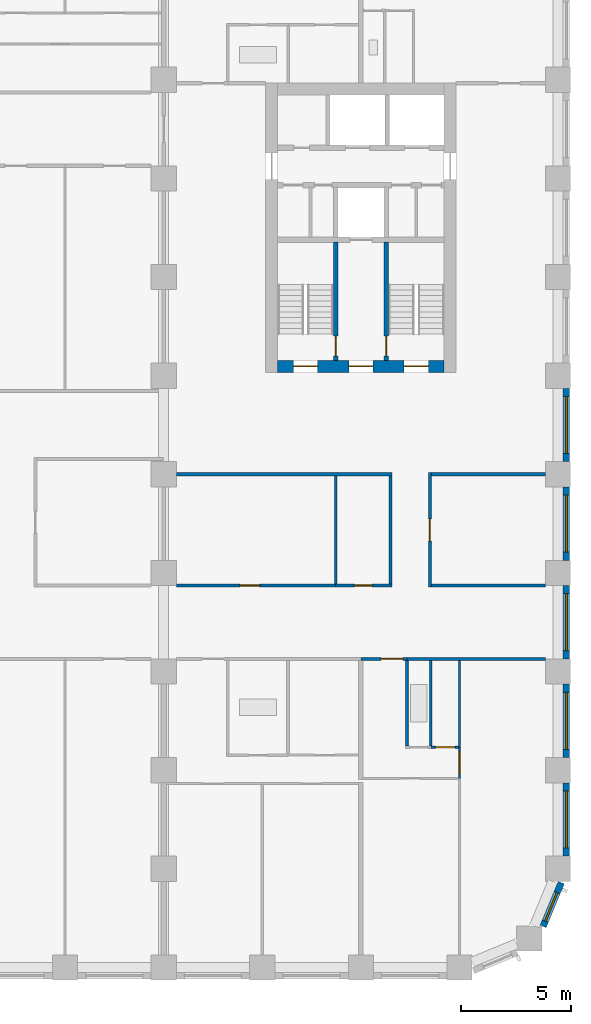
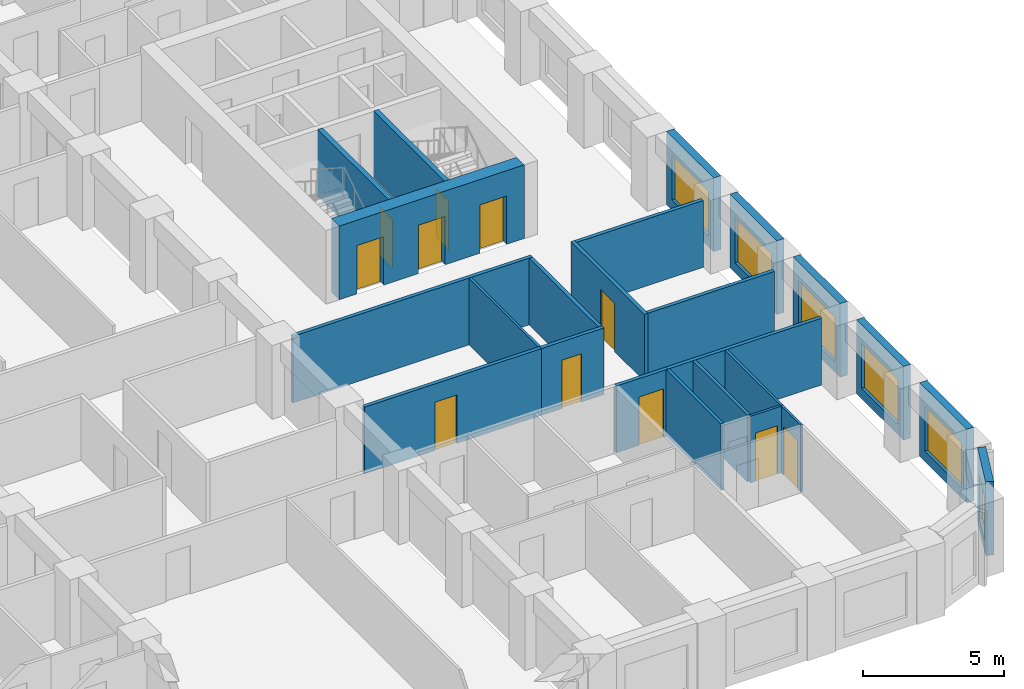
# One storey, part 5 of 13: 24 walls, 11 doors, 6 windows, 17 openings.
"""IFC4 building model written with IfcOpenShell, lengths in metres."""

from ifc_helpers import new_model, si_unit, direction, frame, frame_2d, origin, place, context, subcontext, project, spatial, rectangle, extrude, material, layer, layer_set, type_object, element, fill, save


model = new_model("IFC4")

# Units and contexts
model_context = context("Model", 3, precision=1e-05, world=origin(), true_north=direction((0.0, 1.0)))
body_context = subcontext(model_context, "Body", "Model", "MODEL_VIEW")
ifc_project = project(units=[si_unit("LENGTHUNIT", "METRE"), si_unit("AREAUNIT", "SQUARE_METRE"), si_unit("VOLUMEUNIT", "CUBIC_METRE"), si_unit("PLANEANGLEUNIT", "RADIAN"), si_unit("MASSUNIT", "GRAM", prefix="KILO")], contexts=[model_context])

# Site, building, storey
site_placement = place(None, origin())
site = spatial("IfcSite", under=ifc_project, at=site_placement, CompositionType="ELEMENT")
building_placement = place(site_placement, origin())
building = spatial("IfcBuilding", under=site, at=building_placement, Name="Girih Gate Residences", CompositionType="ELEMENT")
storey_placement = place(building_placement, frame((0.0, 0.0, 92.800048828125)))
storey = spatial("IfcBuildingStorey", under=building, at=storey_placement, Name="L25", CompositionType="ELEMENT", Elevation=92.800048828125)

# Wall
ifc_material_1 = material(Name="Gypsum board on steel studs", Category="steel")
ifc_layer_1 = layer(ifc_material_1, 0.14990234375)
ifc_layer_set_1 = layer_set([ifc_layer_1], Name="Compartment wall 150 mm")
wall_type_1 = type_object("IfcWallType", Name="Compartment wall 150 mm", PredefinedType="PARTITIONING", material=ifc_layer_set_1)
wall_1_placement = place(storey_placement, frame((42.60009765625, 14.074951171875, 0.0), z_axis=(0.0, 0.0, 1.0), x_axis=(1.0, 0.0, 0.0)))
element("IfcWall", 1, at=wall_1_placement, inside=storey, type_object=wall_type_1, Name="L25 partition", PredefinedType="PARTITIONING", context=body_context, shape_type="SweptSolid", body=[
    extrude(rectangle(XDim=6.324951171875, YDim=0.14990234375, at=frame_2d((3.16259765625, 0.0))), origin(), (0.0, 0.0, 1.0), 2.89990234375),
])

# Wall, opening, door
wall_2_placement = place(storey_placement, frame((42.60009765625, 14.074951171875, 0.0), z_axis=(0.0, 0.0, 1.0), x_axis=(-1.0, 0.0, 0.0)))
wall_2 = element("IfcWall", 2, at=wall_2_placement, inside=storey, type_object=wall_type_1, Name="L25 partition", PredefinedType="PARTITIONING", context=body_context, shape_type="SweptSolid", body=[
    extrude(rectangle(XDim=2.10009765625, YDim=0.14990234375, at=frame_2d((1.050048828125, 0.0))), origin(), (0.0, 0.0, 1.0), 2.89990234375),
])
opening_1_placement = place(wall_2_placement, frame((0.175048828125, 0.0, 0.0)))
opening_1 = element("IfcOpeningElement", 3, at=opening_1_placement, cuts=wall_2, Name="Opening A25-019", PredefinedType="OPENING", context=body_context, shape_type="SweptSolid", body=[
    extrude(rectangle(XDim=1.0, YDim=2.10009765625, at=frame_2d((0.5, 1.050048828125))), frame((0.0, 0.0849609375, 0.0), z_axis=(0.0, -1.0, 0.0), x_axis=(1.0, 0.0, 0.0)), (0.0, 0.0, 1.0), 0.169921875),
])
ifc_material_2 = material(Name="Timber, fire-rated core", Category="wood")
door_type_1 = type_object("IfcDoorType", Name="Flat entrance door 1000x2100 FD30S", OperationType="NOTDEFINED", PredefinedType="DOOR", material=ifc_material_2)
door_1_placement = place(opening_1_placement, origin())
door_1 = element("IfcDoor", 4, at=door_1_placement, inside=storey, type_object=door_type_1, Name="Door A25-019", OperationType="SINGLE_SWING_LEFT", OverallHeight=2.10009765625, OverallWidth=1.0, PredefinedType="DOOR", context=body_context, shape_type="SweptSolid", body=[
    extrude(rectangle(XDim=1.0, YDim=2.10009765625, at=frame_2d((0.5, 1.050048828125))), frame((0.0, 0.02490234375, 0.0), z_axis=(0.0, -1.0, 0.0), x_axis=(1.0, 0.0, 0.0)), (0.0, 0.0, 1.0), 0.050048828125),
])
fill(opening_1, door_1)

wall_3_placement = place(storey_placement, frame((32.074951171875, 17.425048828125, 0.0), z_axis=(0.0, 0.0, 1.0), x_axis=(1.0, 0.0, 0.0)))
wall_3 = element("IfcWall", 5, at=wall_3_placement, inside=storey, type_object=wall_type_1, Name="L25 partition", PredefinedType="PARTITIONING", context=body_context, shape_type="SweptSolid", body=[
    extrude(rectangle(XDim=7.275146484375, YDim=0.14990234375, at=frame_2d((3.6376953125, 0.0))), origin(), (0.0, 0.0, 1.0), 2.89990234375),
])
opening_2_placement = place(wall_3_placement, frame((2.89990234375, 0.0, 0.0)))
opening_2 = element("IfcOpeningElement", 6, at=opening_2_placement, cuts=wall_3, Name="Opening A25-050", PredefinedType="OPENING", context=body_context, shape_type="SweptSolid", body=[
    extrude(rectangle(XDim=0.89990234375, YDim=2.10009765625, at=frame_2d((0.449951171875, 1.050048828125))), frame((0.0, 0.0849609375, 0.0), z_axis=(0.0, -1.0, 0.0), x_axis=(1.0, 0.0, 0.0)), (0.0, 0.0, 1.0), 0.169921875),
])
ifc_material_3 = material(Name="Timber", Category="wood")
door_type_2 = type_object("IfcDoorType", Name="Service room door 900x2100", OperationType="NOTDEFINED", PredefinedType="DOOR", material=ifc_material_3)
door_2_placement = place(opening_2_placement, origin())
door_2 = element("IfcDoor", 7, at=door_2_placement, inside=storey, type_object=door_type_2, Name="Door A25-050", OperationType="SINGLE_SWING_LEFT", OverallHeight=2.10009765625, OverallWidth=0.89990234375, PredefinedType="DOOR", context=body_context, shape_type="SweptSolid", body=[
    extrude(rectangle(XDim=0.89990234375, YDim=2.10009765625, at=frame_2d((0.449951171875, 1.050048828125))), frame((0.0, 0.02490234375, 0.0), z_axis=(0.0, -1.0, 0.0), x_axis=(1.0, 0.0, 0.0)), (0.0, 0.0, 1.0), 0.050048828125),
])
fill(opening_2, door_2)

wall_4_placement = place(storey_placement, frame((39.35009765625, 17.425048828125, 0.0), z_axis=(0.0, 0.0, 1.0), x_axis=(1.0, 0.0, 0.0)))
wall_4 = element("IfcWall", 8, at=wall_4_placement, inside=storey, type_object=wall_type_1, Name="L25 partition", PredefinedType="PARTITIONING", context=body_context, shape_type="SweptSolid", body=[
    extrude(rectangle(XDim=2.574951171875, YDim=0.14990234375, at=frame_2d((1.28759765625, 0.0))), origin(), (0.0, 0.0, 1.0), 2.89990234375),
])
opening_3_placement = place(wall_4_placement, frame((0.85009765625, 0.0, 0.0)))
opening_3 = element("IfcOpeningElement", 9, at=opening_3_placement, cuts=wall_4, Name="Opening A25-052", PredefinedType="OPENING", context=body_context, shape_type="SweptSolid", body=[
    extrude(rectangle(XDim=0.800048828125, YDim=2.10009765625, at=frame_2d((0.39990234375, 1.050048828125))), frame((0.0, 0.0849609375, 0.0), z_axis=(0.0, -1.0, 0.0), x_axis=(1.0, 0.0, 0.0)), (0.0, 0.0, 1.0), 0.169921875),
])
door_type_3 = type_object("IfcDoorType", Name="Bathroom door 800x2100", OperationType="NOTDEFINED", PredefinedType="DOOR", material=ifc_material_3)
door_3_placement = place(opening_3_placement, origin())
door_3 = element("IfcDoor", 10, at=door_3_placement, inside=storey, type_object=door_type_3, Name="Door A25-052", OperationType="SINGLE_SWING_LEFT", OverallHeight=2.10009765625, OverallWidth=0.800048828125, PredefinedType="DOOR", context=body_context, shape_type="SweptSolid", body=[
    extrude(rectangle(XDim=0.800048828125, YDim=2.10009765625, at=frame_2d((0.39990234375, 1.050048828125))), frame((0.0, 0.02490234375, 0.0), z_axis=(0.0, -1.0, 0.0), x_axis=(1.0, 0.0, 0.0)), (0.0, 0.0, 1.0), 0.050048828125),
])
fill(opening_3, door_3)

# Walls
wall_5_placement = place(storey_placement, frame((43.72509765625, 17.425048828125, 0.0), z_axis=(0.0, 0.0, 1.0), x_axis=(1.0, 0.0, 0.0)))
element("IfcWall", 11, at=wall_5_placement, inside=storey, type_object=wall_type_1, Name="L25 partition", PredefinedType="PARTITIONING", context=body_context, shape_type="SweptSolid", body=[
    extrude(rectangle(XDim=5.199951171875, YDim=0.14990234375, at=frame_2d((2.60009765625, 0.0))), origin(), (0.0, 0.0, 1.0), 2.89990234375),
])
wall_6_placement = place(storey_placement, frame((32.074951171875, 22.5, 0.0), z_axis=(0.0, 0.0, 1.0), x_axis=(1.0, 0.0, 0.0)))
element("IfcWall", 12, at=wall_6_placement, inside=storey, type_object=wall_type_1, Name="L25 partition", PredefinedType="PARTITIONING", context=body_context, shape_type="SweptSolid", body=[
    extrude(rectangle(XDim=9.85009765625, YDim=0.14990234375, at=frame_2d((4.925048828125, 0.0))), origin(), (0.0, 0.0, 1.0), 2.89990234375),
])
wall_7_placement = place(storey_placement, frame((43.72509765625, 22.5, 0.0), z_axis=(0.0, 0.0, 1.0), x_axis=(1.0, 0.0, 0.0)))
element("IfcWall", 13, at=wall_7_placement, inside=storey, type_object=wall_type_1, Name="L25 partition", PredefinedType="PARTITIONING", context=body_context, shape_type="SweptSolid", body=[
    extrude(rectangle(XDim=5.199951171875, YDim=0.14990234375, at=frame_2d((2.60009765625, 0.0))), origin(), (0.0, 0.0, 1.0), 2.89990234375),
])
wall_8_placement = place(storey_placement, frame((41.85009765625, 17.5, 0.0), z_axis=(0.0, 0.0, 1.0), x_axis=(0.0, 1.0, 0.0)))
element("IfcWall", 14, at=wall_8_placement, inside=storey, type_object=wall_type_1, Name="L25 partition", PredefinedType="PARTITIONING", context=body_context, shape_type="SweptSolid", body=[
    extrude(rectangle(XDim=4.925048828125, YDim=0.14990234375, at=frame_2d((2.46240234375, 0.0))), origin(), (0.0, 0.0, 1.0), 2.89990234375),
])

# Wall, opening, door
wall_9_placement = place(storey_placement, frame((43.64990234375, 22.574951171875, 0.0), z_axis=(0.0, 0.0, 1.0), x_axis=(0.0, -1.0, 0.0)))
wall_9 = element("IfcWall", 15, at=wall_9_placement, inside=storey, type_object=wall_type_1, Name="L25 partition", PredefinedType="PARTITIONING", context=body_context, shape_type="SweptSolid", body=[
    extrude(rectangle(XDim=5.224853515625, YDim=0.14990234375, at=frame_2d((2.6123046875, 0.0))), origin(), (0.0, 0.0, 1.0), 2.89990234375),
])
opening_4_placement = place(wall_9_placement, frame((2.112548828125, 0.0, 0.0)))
opening_4 = element("IfcOpeningElement", 16, at=opening_4_placement, cuts=wall_9, Name="Opening A25-054", PredefinedType="OPENING", context=body_context, shape_type="SweptSolid", body=[
    extrude(rectangle(XDim=1.0, YDim=2.10009765625, at=frame_2d((0.5, 1.050048828125))), frame((0.0, 0.0849609375, 0.0), z_axis=(0.0, -1.0, 0.0), x_axis=(1.0, 0.0, 0.0)), (0.0, 0.0, 1.0), 0.169921875),
])
door_type_4 = type_object("IfcDoorType", Name="Amenity room door 1000x2100 FD30S", OperationType="NOTDEFINED", PredefinedType="DOOR", material=ifc_material_2)
door_4_placement = place(opening_4_placement, origin())
door_4 = element("IfcDoor", 17, at=door_4_placement, inside=storey, type_object=door_type_4, Name="Door A25-054", OperationType="SINGLE_SWING_RIGHT", OverallHeight=2.10009765625, OverallWidth=1.0, PredefinedType="DOOR", context=body_context, shape_type="SweptSolid", body=[
    extrude(rectangle(XDim=1.0, YDim=2.10009765625, at=frame_2d((0.5, 1.050048828125))), frame((0.0, 0.02490234375, 0.0), z_axis=(0.0, -1.0, 0.0), x_axis=(1.0, 0.0, 0.0)), (0.0, 0.0, 1.0), 0.050048828125),
])
fill(opening_4, door_4)

# Wall, openings, doors
ifc_material_4 = material(Name="Concrete C60/75", Category="concrete")
ifc_layer_2 = layer(ifc_material_4, 0.550048828125)
ifc_layer_set_2 = layer_set([ifc_layer_2], Name="Core wall RC 550 Concrete C60/75")
wall_type_2 = type_object("IfcWallType", Name="Core wall RC 550 Concrete C60/75", PredefinedType="SOLIDWALL", material=ifc_layer_set_2)
wall_10_placement = place(storey_placement, frame((36.699951171875, 27.425048828125, 0.0), z_axis=(0.0, 0.0, 1.0), x_axis=(1.0, 0.0, 0.0)))
wall_10 = element("IfcWall", 18, at=wall_10_placement, inside=storey, type_object=wall_type_2, Name="Core wall E-S L25", PredefinedType="SOLIDWALL", context=body_context, shape_type="SweptSolid", body=[
    extrude(rectangle(XDim=7.60009765625, YDim=0.550048828125, at=frame_2d((3.800048828125, 0.0))), origin(), (0.0, 0.0, 1.0), 3.199951171875),
])
opening_5_placement = place(wall_10_placement, frame((5.77490234375, 0.0, 0.0)))
opening_5 = element("IfcOpeningElement", 19, at=opening_5_placement, cuts=wall_10, Name="Opening D-L25-E-011", PredefinedType="OPENING", context=body_context, shape_type="SweptSolid", body=[
    extrude(rectangle(XDim=1.10009765625, YDim=2.10009765625, at=frame_2d((0.550048828125, 1.050048828125))), frame((0.0, 0.284912109375, 0.0), z_axis=(0.0, -1.0, 0.0), x_axis=(1.0, 0.0, 0.0)), (0.0, 0.0, 1.0), 0.570068359375),
])
opening_6_placement = place(wall_10_placement, frame((3.25, 0.0, 0.0)))
opening_6 = element("IfcOpeningElement", 20, at=opening_6_placement, cuts=wall_10, Name="Opening D-L25-E-012", PredefinedType="OPENING", context=body_context, shape_type="SweptSolid", body=[
    extrude(rectangle(XDim=1.10009765625, YDim=2.10009765625, at=frame_2d((0.550048828125, 1.050048828125))), frame((0.0, 0.284912109375, 0.0), z_axis=(0.0, -1.0, 0.0), x_axis=(1.0, 0.0, 0.0)), (0.0, 0.0, 1.0), 0.570068359375),
])
opening_7_placement = place(wall_10_placement, frame((0.72509765625, 0.0, 0.0)))
opening_7 = element("IfcOpeningElement", 21, at=opening_7_placement, cuts=wall_10, Name="Opening D-L25-E-013", PredefinedType="OPENING", context=body_context, shape_type="SweptSolid", body=[
    extrude(rectangle(XDim=1.10009765625, YDim=2.10009765625, at=frame_2d((0.550048828125, 1.050048828125))), frame((0.0, 0.284912109375, 0.0), z_axis=(0.0, -1.0, 0.0), x_axis=(1.0, 0.0, 0.0)), (0.0, 0.0, 1.0), 0.570068359375),
])
ifc_material_5 = material(Name="Painted steel, fire-resisting", Category="steel")
door_type_5 = type_object("IfcDoorType", Name="Fire door 1100x2100", OperationType="SINGLE_SWING_LEFT", PredefinedType="DOOR", material=ifc_material_5)
door_5_placement = place(opening_5_placement, origin())
door_5 = element("IfcDoor", 22, at=door_5_placement, inside=storey, type_object=door_type_5, Name="L25 E core door sta-out", OperationType="SINGLE_SWING_LEFT", OverallHeight=2.10009765625, OverallWidth=1.10009765625, PredefinedType="DOOR", context=body_context, shape_type="SweptSolid", body=[
    extrude(rectangle(XDim=1.10009765625, YDim=2.10009765625, at=frame_2d((0.550048828125, 1.050048828125))), frame((0.0, 0.02490234375, 0.0), z_axis=(0.0, -1.0, 0.0), x_axis=(1.0, 0.0, 0.0)), (0.0, 0.0, 1.0), 0.050048828125),
])
fill(opening_5, door_5)
door_6_placement = place(opening_6_placement, origin())
door_6 = element("IfcDoor", 23, at=door_6_placement, inside=storey, type_object=door_type_5, Name="L25 E core door ffl-out", OperationType="SINGLE_SWING_LEFT", OverallHeight=2.10009765625, OverallWidth=1.10009765625, PredefinedType="DOOR", context=body_context, shape_type="SweptSolid", body=[
    extrude(rectangle(XDim=1.10009765625, YDim=2.10009765625, at=frame_2d((0.550048828125, 1.050048828125))), frame((0.0, 0.02490234375, 0.0), z_axis=(0.0, -1.0, 0.0), x_axis=(1.0, 0.0, 0.0)), (0.0, 0.0, 1.0), 0.050048828125),
])
fill(opening_6, door_6)
door_7_placement = place(opening_7_placement, origin())
door_7 = element("IfcDoor", 24, at=door_7_placement, inside=storey, type_object=door_type_5, Name="L25 E core door stb-out", OperationType="SINGLE_SWING_LEFT", OverallHeight=2.10009765625, OverallWidth=1.10009765625, PredefinedType="DOOR", context=body_context, shape_type="SweptSolid", body=[
    extrude(rectangle(XDim=1.10009765625, YDim=2.10009765625, at=frame_2d((0.550048828125, 1.050048828125))), frame((0.0, 0.02490234375, 0.0), z_axis=(0.0, -1.0, 0.0), x_axis=(1.0, 0.0, 0.0)), (0.0, 0.0, 1.0), 0.050048828125),
])
fill(opening_7, door_7)

# Wall, opening, door
ifc_layer_3 = layer(ifc_material_1, 0.10009765625)
ifc_layer_set_3 = layer_set([ifc_layer_3], Name="Partition 100 mm")
wall_type_3 = type_object("IfcWallType", Name="Partition 100 mm", PredefinedType="PARTITIONING", material=ifc_layer_set_3)
wall_11_placement = place(storey_placement, frame((43.69091796875, 10.044921875, 0.0), z_axis=(0.0, 0.0, 1.0), x_axis=(1.0, 0.0, 0.0)))
wall_11 = element("IfcWall", 25, at=wall_11_placement, inside=storey, type_object=wall_type_3, Name="L25 partition", PredefinedType="PARTITIONING", context=body_context, shape_type="SweptSolid", body=[
    extrude(rectangle(XDim=1.259033203125, YDim=0.10009765625, at=frame_2d((0.62939453125, 0.0))), origin(), (0.0, 0.0, 1.0), 2.89990234375),
])
opening_8_placement = place(wall_11_placement, frame((0.20458984375, 0.0, 0.0)))
opening_8 = element("IfcOpeningElement", 26, at=opening_8_placement, cuts=wall_11, Name="Opening A25-017", PredefinedType="OPENING", context=body_context, shape_type="SweptSolid", body=[
    extrude(rectangle(XDim=0.89990234375, YDim=2.10009765625, at=frame_2d((0.449951171875, 1.050048828125))), frame((0.0, 0.06005859375, 0.0), z_axis=(0.0, -1.0, 0.0), x_axis=(1.0, 0.0, 0.0)), (0.0, 0.0, 1.0), 0.1201171875),
])
door_type_6 = type_object("IfcDoorType", Name="Kitchen door 900x2100", OperationType="NOTDEFINED", PredefinedType="DOOR", material=ifc_material_3)
door_8_placement = place(opening_8_placement, origin())
door_8 = element("IfcDoor", 27, at=door_8_placement, inside=storey, type_object=door_type_6, Name="Door A25-017", OperationType="SINGLE_SWING_RIGHT", OverallHeight=2.10009765625, OverallWidth=0.89990234375, PredefinedType="DOOR", context=body_context, shape_type="SweptSolid", body=[
    extrude(rectangle(XDim=0.89990234375, YDim=2.10009765625, at=frame_2d((0.449951171875, 1.050048828125))), frame((0.0, 0.02490234375, 0.0), z_axis=(0.0, -1.0, 0.0), x_axis=(1.0, 0.0, 0.0)), (0.0, 0.0, 1.0), 0.050048828125),
])
fill(opening_8, door_8)

wall_12_placement = place(storey_placement, frame((45.0, 10.044921875, 0.0), z_axis=(0.0, 0.0, 1.0), x_axis=(0.0, -1.0, 0.0)))
wall_12 = element("IfcWall", 28, at=wall_12_placement, inside=storey, type_object=wall_type_3, Name="L25 partition", PredefinedType="PARTITIONING", context=body_context, shape_type="SweptSolid", body=[
    extrude(rectangle(XDim=1.419921875, YDim=0.10009765625, at=frame_2d((0.7099609375, 0.0))), origin(), (0.0, 0.0, 1.0), 2.89990234375),
])
opening_9_placement = place(wall_12_placement, frame((0.2099609375, 0.0, 0.0)))
opening_9 = element("IfcOpeningElement", 29, at=opening_9_placement, cuts=wall_12, Name="Opening A25-018", PredefinedType="OPENING", context=body_context, shape_type="SweptSolid", body=[
    extrude(rectangle(XDim=1.0, YDim=2.10009765625, at=frame_2d((0.5, 1.050048828125))), frame((0.0, 0.06005859375, 0.0), z_axis=(0.0, -1.0, 0.0), x_axis=(1.0, 0.0, 0.0)), (0.0, 0.0, 1.0), 0.1201171875),
])
door_type_7 = type_object("IfcDoorType", Name="Living room door 1000x2100", OperationType="NOTDEFINED", PredefinedType="DOOR", material=ifc_material_3)
door_9_placement = place(opening_9_placement, origin())
door_9 = element("IfcDoor", 30, at=door_9_placement, inside=storey, type_object=door_type_7, Name="Door A25-018", OperationType="SINGLE_SWING_LEFT", OverallHeight=2.10009765625, OverallWidth=1.0, PredefinedType="DOOR", context=body_context, shape_type="SweptSolid", body=[
    extrude(rectangle(XDim=1.0, YDim=2.10009765625, at=frame_2d((0.5, 1.050048828125))), frame((0.0, 0.02490234375, 0.0), z_axis=(0.0, -1.0, 0.0), x_axis=(1.0, 0.0, 0.0)), (0.0, 0.0, 1.0), 0.050048828125),
])
fill(opening_9, door_9)

# Walls
wall_13_placement = place(storey_placement, frame((45.0, 10.044921875, 0.0), z_axis=(0.0, 0.0, 1.0), x_axis=(0.0, 1.0, 0.0)))
element("IfcWall", 31, at=wall_13_placement, inside=storey, type_object=wall_type_3, Name="L25 partition", PredefinedType="PARTITIONING", context=body_context, shape_type="SweptSolid", body=[
    extrude(rectangle(XDim=3.955078125, YDim=0.10009765625, at=frame_2d((1.9775390625, 0.0))), origin(), (0.0, 0.0, 1.0), 2.89990234375),
])
wall_14_placement = place(storey_placement, frame((39.35009765625, 17.5, 0.0), z_axis=(0.0, 0.0, 1.0), x_axis=(0.0, 1.0, 0.0)))
element("IfcWall", 32, at=wall_14_placement, inside=storey, type_object=wall_type_3, Name="L25 partition", PredefinedType="PARTITIONING", context=body_context, shape_type="SweptSolid", body=[
    extrude(rectangle(XDim=4.925048828125, YDim=0.10009765625, at=frame_2d((2.46240234375, 0.0))), origin(), (0.0, 0.0, 1.0), 2.89990234375),
])

# Wall, opening, window
ifc_material_6 = material(Name="Precast concrete C50/60", Category="concrete")
ifc_layer_4 = layer(ifc_material_6, 0.080078125, Name="Outer leaf")
ifc_material_7 = material(Name="Rigid PIR insulation")
ifc_layer_5 = layer(ifc_material_7, 0.14990234375, Name="Insulation")
ifc_material_8 = material(Name="Precast concrete C40/50", Category="concrete")
ifc_layer_6 = layer(ifc_material_8, 0.070068359375, Name="Inner leaf")
ifc_layer_set_4 = layer_set([ifc_layer_4, ifc_layer_5, ifc_layer_6], Name="Precast concrete C50/60 external wall 300")
wall_type_4 = type_object("IfcWallType", Name="Precast concrete C50/60 external wall 300", PredefinedType="SOLIDWALL", material=ifc_layer_set_4)
wall_15_placement = place(storey_placement, frame((49.64404296875, 3.86767578125, 0.0), z_axis=(0.0, 0.0, 1.0), x_axis=(-0.382723818695, -0.923862802911, 0.0)))
wall_15 = element("IfcWall", 33, at=wall_15_placement, inside=storey, type_object=wall_type_4, Name="External wall SE0482_0013.0", PredefinedType="SOLIDWALL", context=body_context, shape_type="SweptSolid", body=[
    extrude(rectangle(XDim=2.163818359375, YDim=0.300048828125, at=frame_2d((1.08203125, 0.0))), origin(), (0.0, 0.0, 1.0), 3.199951171875),
])
opening_10_placement = place(wall_15_placement, frame((0.492919921875, 0.0, 0.449951171875)))
opening_10 = element("IfcOpeningElement", 34, at=opening_10_placement, cuts=wall_15, Name="Opening W-2D", PredefinedType="OPENING", context=body_context, shape_type="SweptSolid", body=[
    extrude(rectangle(XDim=1.39990234375, YDim=1.949951171875, at=frame_2d((0.699951171875, 0.97509765625))), frame((0.0, 0.159912109375, 0.0), z_axis=(0.0, -1.0, 0.0), x_axis=(1.0, 0.0, 0.0)), (0.0, 0.0, 1.0), 0.320068359375),
])
ifc_material_9 = material(Name="Double glazing in aluminium frame", Category="aluminium")
window_type_1 = type_object("IfcWindowType", Name="Window W-2D 1400x1950", PartitioningType="SINGLE_PANEL", PredefinedType="WINDOW", material=ifc_material_9)
window_1_placement = place(opening_10_placement, origin())
window_1 = element("IfcWindow", 35, at=window_1_placement, inside=storey, type_object=window_type_1, Name="Window W-2D SE0482_0013.0", OverallHeight=1.949951171875, OverallWidth=1.39990234375, PartitioningType="SINGLE_PANEL", PredefinedType="WINDOW", context=body_context, shape_type="SweptSolid", body=[
    extrude(rectangle(XDim=1.39990234375, YDim=1.949951171875, at=frame_2d((0.699951171875, 0.97509765625))), frame((0.0, 0.030029296875, 0.0), z_axis=(0.0, -1.0, 0.0), x_axis=(1.0, 0.0, 0.0)), (0.0, 0.0, 1.0), 0.06005859375),
])
fill(opening_10, window_1)

wall_16_placement = place(storey_placement, frame((49.875, 8.425048828125, 0.0), z_axis=(0.0, 0.0, 1.0), x_axis=(0.0, -1.0, 0.0)))
wall_16 = element("IfcWall", 36, at=wall_16_placement, inside=storey, type_object=wall_type_4, Name="External wall E0495_0045.0", PredefinedType="SOLIDWALL", context=body_context, shape_type="SweptSolid", body=[
    extrude(rectangle(XDim=3.35009765625, YDim=0.300048828125, at=frame_2d((1.675048828125, 0.0))), origin(), (0.0, 0.0, 1.0), 3.199951171875),
])
opening_11_placement = place(wall_16_placement, frame((0.375, 0.0, 0.449951171875)))
opening_11 = element("IfcOpeningElement", 37, at=opening_11_placement, cuts=wall_16, Name="Opening W-1A", PredefinedType="OPENING", context=body_context, shape_type="SweptSolid", body=[
    extrude(rectangle(XDim=2.60009765625, YDim=1.949951171875, at=frame_2d((1.300048828125, 0.97509765625))), frame((0.0, 0.159912109375, 0.0), z_axis=(0.0, -1.0, 0.0), x_axis=(1.0, 0.0, 0.0)), (0.0, 0.0, 1.0), 0.320068359375),
])
window_type_2 = type_object("IfcWindowType", Name="Window W-1A 2600x1950", PartitioningType="SINGLE_PANEL", PredefinedType="WINDOW", material=ifc_material_9)
window_2_placement = place(opening_11_placement, origin())
window_2 = element("IfcWindow", 38, at=window_2_placement, inside=storey, type_object=window_type_2, Name="Window W-1A E0495_0045.0", OverallHeight=1.949951171875, OverallWidth=2.60009765625, PartitioningType="SINGLE_PANEL", PredefinedType="WINDOW", context=body_context, shape_type="SweptSolid", body=[
    extrude(rectangle(XDim=2.60009765625, YDim=1.949951171875, at=frame_2d((1.300048828125, 0.97509765625))), frame((0.0, 0.030029296875, 0.0), z_axis=(0.0, -1.0, 0.0), x_axis=(1.0, 0.0, 0.0)), (0.0, 0.0, 1.0), 0.06005859375),
])
fill(opening_11, window_2)

wall_17_placement = place(storey_placement, frame((49.875, 12.925048828125, 0.0), z_axis=(0.0, 0.0, 1.0), x_axis=(0.0, -1.0, 0.0)))
wall_17 = element("IfcWall", 39, at=wall_17_placement, inside=storey, type_object=wall_type_4, Name="External wall E0495_0045.1", PredefinedType="SOLIDWALL", context=body_context, shape_type="SweptSolid", body=[
    extrude(rectangle(XDim=3.35009765625, YDim=0.300048828125, at=frame_2d((1.675048828125, 0.0))), origin(), (0.0, 0.0, 1.0), 3.199951171875),
])
opening_12_placement = place(wall_17_placement, frame((0.375, 0.0, 0.449951171875)))
opening_12 = element("IfcOpeningElement", 40, at=opening_12_placement, cuts=wall_17, Name="Opening W-1A", PredefinedType="OPENING", context=body_context, shape_type="SweptSolid", body=[
    extrude(rectangle(XDim=2.60009765625, YDim=1.949951171875, at=frame_2d((1.300048828125, 0.97509765625))), frame((0.0, 0.159912109375, 0.0), z_axis=(0.0, -1.0, 0.0), x_axis=(1.0, 0.0, 0.0)), (0.0, 0.0, 1.0), 0.320068359375),
])
window_3_placement = place(opening_12_placement, origin())
window_3 = element("IfcWindow", 41, at=window_3_placement, inside=storey, type_object=window_type_2, Name="Window W-1A E0495_0045.1", OverallHeight=1.949951171875, OverallWidth=2.60009765625, PartitioningType="SINGLE_PANEL", PredefinedType="WINDOW", context=body_context, shape_type="SweptSolid", body=[
    extrude(rectangle(XDim=2.60009765625, YDim=1.949951171875, at=frame_2d((1.300048828125, 0.97509765625))), frame((0.0, 0.030029296875, 0.0), z_axis=(0.0, -1.0, 0.0), x_axis=(1.0, 0.0, 0.0)), (0.0, 0.0, 1.0), 0.06005859375),
])
fill(opening_12, window_3)

wall_18_placement = place(storey_placement, frame((49.875, 17.425048828125, 0.0), z_axis=(0.0, 0.0, 1.0), x_axis=(0.0, -1.0, 0.0)))
wall_18 = element("IfcWall", 42, at=wall_18_placement, inside=storey, type_object=wall_type_4, Name="External wall E0495_0045.2", PredefinedType="SOLIDWALL", context=body_context, shape_type="SweptSolid", body=[
    extrude(rectangle(XDim=3.35009765625, YDim=0.300048828125, at=frame_2d((1.675048828125, 0.0))), origin(), (0.0, 0.0, 1.0), 3.199951171875),
])
opening_13_placement = place(wall_18_placement, frame((0.375, 0.0, 0.449951171875)))
opening_13 = element("IfcOpeningElement", 43, at=opening_13_placement, cuts=wall_18, Name="Opening W-1A", PredefinedType="OPENING", context=body_context, shape_type="SweptSolid", body=[
    extrude(rectangle(XDim=2.60009765625, YDim=1.949951171875, at=frame_2d((1.300048828125, 0.97509765625))), frame((0.0, 0.159912109375, 0.0), z_axis=(0.0, -1.0, 0.0), x_axis=(1.0, 0.0, 0.0)), (0.0, 0.0, 1.0), 0.320068359375),
])
window_4_placement = place(opening_13_placement, origin())
window_4 = element("IfcWindow", 44, at=window_4_placement, inside=storey, type_object=window_type_2, Name="Window W-1A E0495_0045.2", OverallHeight=1.949951171875, OverallWidth=2.60009765625, PartitioningType="SINGLE_PANEL", PredefinedType="WINDOW", context=body_context, shape_type="SweptSolid", body=[
    extrude(rectangle(XDim=2.60009765625, YDim=1.949951171875, at=frame_2d((1.300048828125, 0.97509765625))), frame((0.0, 0.030029296875, 0.0), z_axis=(0.0, -1.0, 0.0), x_axis=(1.0, 0.0, 0.0)), (0.0, 0.0, 1.0), 0.06005859375),
])
fill(opening_13, window_4)

wall_19_placement = place(storey_placement, frame((49.875, 21.925048828125, 0.0), z_axis=(0.0, 0.0, 1.0), x_axis=(0.0, -1.0, 0.0)))
wall_19 = element("IfcWall", 45, at=wall_19_placement, inside=storey, type_object=wall_type_4, Name="External wall E0495_0045.3", PredefinedType="SOLIDWALL", context=body_context, shape_type="SweptSolid", body=[
    extrude(rectangle(XDim=3.35009765625, YDim=0.300048828125, at=frame_2d((1.675048828125, 0.0))), origin(), (0.0, 0.0, 1.0), 3.199951171875),
])
opening_14_placement = place(wall_19_placement, frame((0.375, 0.0, 0.449951171875)))
opening_14 = element("IfcOpeningElement", 46, at=opening_14_placement, cuts=wall_19, Name="Opening W-1A", PredefinedType="OPENING", context=body_context, shape_type="SweptSolid", body=[
    extrude(rectangle(XDim=2.60009765625, YDim=1.949951171875, at=frame_2d((1.300048828125, 0.97509765625))), frame((0.0, 0.159912109375, 0.0), z_axis=(0.0, -1.0, 0.0), x_axis=(1.0, 0.0, 0.0)), (0.0, 0.0, 1.0), 0.320068359375),
])
window_5_placement = place(opening_14_placement, origin())
window_5 = element("IfcWindow", 47, at=window_5_placement, inside=storey, type_object=window_type_2, Name="Window W-1A E0495_0045.3", OverallHeight=1.949951171875, OverallWidth=2.60009765625, PartitioningType="SINGLE_PANEL", PredefinedType="WINDOW", context=body_context, shape_type="SweptSolid", body=[
    extrude(rectangle(XDim=2.60009765625, YDim=1.949951171875, at=frame_2d((1.300048828125, 0.97509765625))), frame((0.0, 0.030029296875, 0.0), z_axis=(0.0, -1.0, 0.0), x_axis=(1.0, 0.0, 0.0)), (0.0, 0.0, 1.0), 0.06005859375),
])
fill(opening_14, window_5)

wall_20_placement = place(storey_placement, frame((49.875, 26.425048828125, 0.0), z_axis=(0.0, 0.0, 1.0), x_axis=(0.0, -1.0, 0.0)))
wall_20 = element("IfcWall", 48, at=wall_20_placement, inside=storey, type_object=wall_type_4, Name="External wall E0495_0045.4", PredefinedType="SOLIDWALL", context=body_context, shape_type="SweptSolid", body=[
    extrude(rectangle(XDim=3.35009765625, YDim=0.300048828125, at=frame_2d((1.675048828125, 0.0))), origin(), (0.0, 0.0, 1.0), 3.199951171875),
])
opening_15_placement = place(wall_20_placement, frame((0.375, 0.0, 0.449951171875)))
opening_15 = element("IfcOpeningElement", 49, at=opening_15_placement, cuts=wall_20, Name="Opening W-1A", PredefinedType="OPENING", context=body_context, shape_type="SweptSolid", body=[
    extrude(rectangle(XDim=2.60009765625, YDim=1.949951171875, at=frame_2d((1.300048828125, 0.97509765625))), frame((0.0, 0.159912109375, 0.0), z_axis=(0.0, -1.0, 0.0), x_axis=(1.0, 0.0, 0.0)), (0.0, 0.0, 1.0), 0.320068359375),
])
window_6_placement = place(opening_15_placement, origin())
window_6 = element("IfcWindow", 50, at=window_6_placement, inside=storey, type_object=window_type_2, Name="Window W-1A E0495_0045.4", OverallHeight=1.949951171875, OverallWidth=2.60009765625, PartitioningType="SINGLE_PANEL", PredefinedType="WINDOW", context=body_context, shape_type="SweptSolid", body=[
    extrude(rectangle(XDim=2.60009765625, YDim=1.949951171875, at=frame_2d((1.300048828125, 0.97509765625))), frame((0.0, 0.030029296875, 0.0), z_axis=(0.0, -1.0, 0.0), x_axis=(1.0, 0.0, 0.0)), (0.0, 0.0, 1.0), 0.06005859375),
])
fill(opening_15, window_6)

# Wall, opening, door
ifc_material_10 = material(Name="Concrete C40/50", Category="concrete")
ifc_layer_7 = layer(ifc_material_10, 0.199951171875)
ifc_layer_set_5 = layer_set([ifc_layer_7], Name="Shaft wall 200")
wall_type_5 = type_object("IfcWallType", Name="Shaft wall 200", PredefinedType="SOLIDWALL", material=ifc_layer_set_5)
wall_21_placement = place(storey_placement, frame((41.64990234375, 27.699951171875, 0.0), z_axis=(0.0, 0.0, 1.0), x_axis=(0.0, 1.0, 0.0)))
wall_21 = element("IfcWall", 51, at=wall_21_placement, inside=storey, type_object=wall_type_5, Name="L25 E core wall V1a", PredefinedType="SOLIDWALL", context=body_context, shape_type="SweptSolid", body=[
    extrude(rectangle(XDim=5.400146484375, YDim=0.199951171875, at=frame_2d((2.7001953125, 0.0))), origin(), (0.0, 0.0, 1.0), 2.89990234375),
])
opening_16_placement = place(wall_21_placement, frame((0.199951171875, 0.0, 0.0)))
opening_16 = element("IfcOpeningElement", 52, at=opening_16_placement, cuts=wall_21, Name="Opening D-L25-E-001", PredefinedType="OPENING", context=body_context, shape_type="SweptSolid", body=[
    extrude(rectangle(XDim=0.89990234375, YDim=2.10009765625, at=frame_2d((0.449951171875, 1.050048828125))), frame((0.0, 0.10986328125, 0.0), z_axis=(0.0, -1.0, 0.0), x_axis=(1.0, 0.0, 0.0)), (0.0, 0.0, 1.0), 0.219970703125),
])
door_type_8 = type_object("IfcDoorType", Name="Fire door 900x2100", OperationType="SINGLE_SWING_LEFT", PredefinedType="DOOR", material=ifc_material_5)
door_10_placement = place(opening_16_placement, origin())
door_10 = element("IfcDoor", 53, at=door_10_placement, inside=storey, type_object=door_type_8, Name="L25 E door stair 1 to firefighting lobby", OperationType="SINGLE_SWING_LEFT", OverallHeight=2.10009765625, OverallWidth=0.89990234375, PredefinedType="DOOR", context=body_context, shape_type="SweptSolid", body=[
    extrude(rectangle(XDim=0.89990234375, YDim=2.10009765625, at=frame_2d((0.449951171875, 1.050048828125))), frame((0.0, 0.02490234375, 0.0), z_axis=(0.0, -1.0, 0.0), x_axis=(1.0, 0.0, 0.0)), (0.0, 0.0, 1.0), 0.050048828125),
])
fill(opening_16, door_10)

wall_22_placement = place(storey_placement, frame((39.35009765625, 27.699951171875, 0.0), z_axis=(0.0, 0.0, 1.0), x_axis=(0.0, 1.0, 0.0)))
wall_22 = element("IfcWall", 54, at=wall_22_placement, inside=storey, type_object=wall_type_5, Name="L25 E core wall V2a", PredefinedType="SOLIDWALL", context=body_context, shape_type="SweptSolid", body=[
    extrude(rectangle(XDim=5.400146484375, YDim=0.199951171875, at=frame_2d((2.7001953125, 0.0))), origin(), (0.0, 0.0, 1.0), 2.89990234375),
])
opening_17_placement = place(wall_22_placement, frame((0.199951171875, 0.0, 0.0)))
opening_17 = element("IfcOpeningElement", 55, at=opening_17_placement, cuts=wall_22, Name="Opening D-L25-E-002", PredefinedType="OPENING", context=body_context, shape_type="SweptSolid", body=[
    extrude(rectangle(XDim=0.89990234375, YDim=2.10009765625, at=frame_2d((0.449951171875, 1.050048828125))), frame((0.0, 0.10986328125, 0.0), z_axis=(0.0, -1.0, 0.0), x_axis=(1.0, 0.0, 0.0)), (0.0, 0.0, 1.0), 0.219970703125),
])
door_11_placement = place(opening_17_placement, origin())
door_11 = element("IfcDoor", 56, at=door_11_placement, inside=storey, type_object=door_type_8, Name="L25 E door stair 2 to firefighting lobby", OperationType="SINGLE_SWING_LEFT", OverallHeight=2.10009765625, OverallWidth=0.89990234375, PredefinedType="DOOR", context=body_context, shape_type="SweptSolid", body=[
    extrude(rectangle(XDim=0.89990234375, YDim=2.10009765625, at=frame_2d((0.449951171875, 1.050048828125))), frame((0.0, 0.02490234375, 0.0), z_axis=(0.0, -1.0, 0.0), x_axis=(1.0, 0.0, 0.0)), (0.0, 0.0, 1.0), 0.050048828125),
])
fill(opening_17, door_11)

# Walls
ifc_layer_8 = layer(ifc_material_1, 0.125)
ifc_layer_set_6 = layer_set([ifc_layer_8], Name="Wet room wall 125 mm")
wall_type_6 = type_object("IfcWallType", Name="Wet room wall 125 mm", PredefinedType="PARTITIONING", material=ifc_layer_set_6)
for number, where, z_axis, x_axis, name in (
    (57, (42.60009765625, 10.107421875, 0.0), (0.0, 0.0, 1.0), (0.0, 1.0, 0.0), "L25 partition"),
    (58, (43.69091796875, 10.107421875, 0.0), (0.0, 0.0, 1.0), (0.0, 1.0, 0.0), "L25 partition"),
):
    element("IfcWall", number, at=place(storey_placement, frame(where, z_axis=z_axis, x_axis=x_axis)), inside=storey, type_object=wall_type_6, Name=name, PredefinedType="PARTITIONING", context=body_context, shape_type="SweptSolid", body=[
        extrude(rectangle(XDim=3.892578125, YDim=0.125, at=frame_2d((1.9462890625, 0.0))), origin(), (0.0, 0.0, 1.0), 2.89990234375),
    ])

save(model, "model.ifc")
